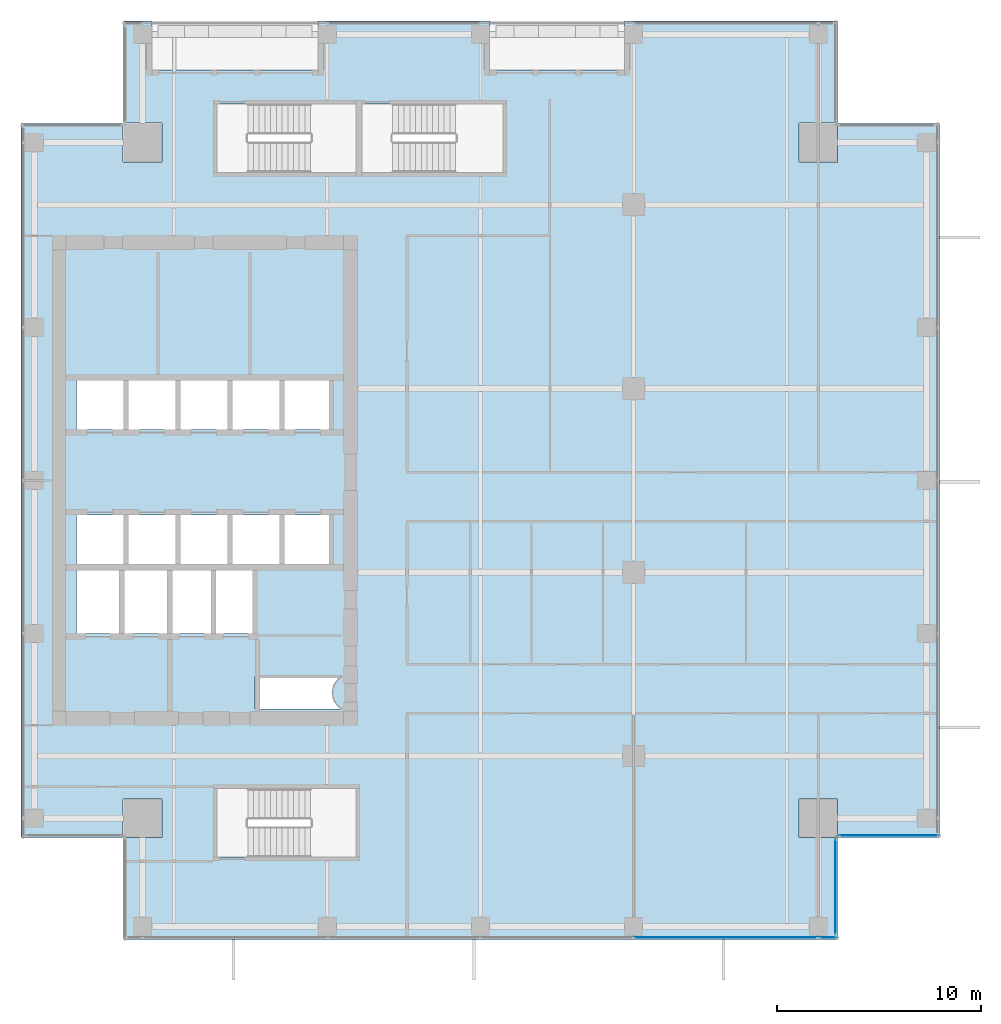
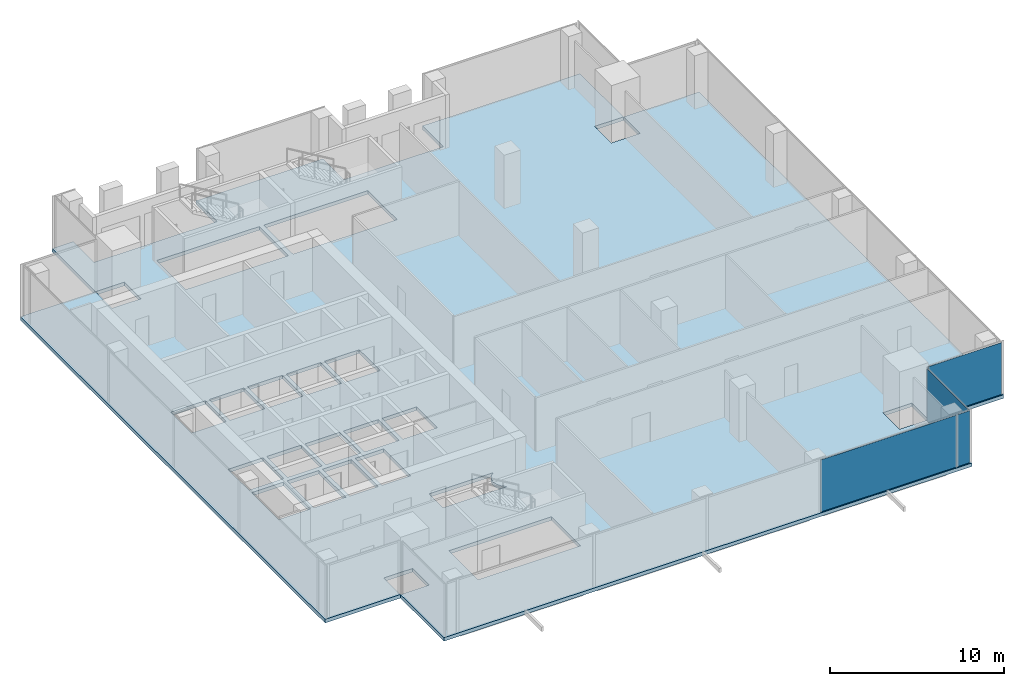
# One storey, part 26 of 34: 4 plates, 1 slab, 3 elements without a shape of their own.
"""IFC4 building model written with IfcOpenShell, lengths in metres."""

import ifcopenshell
import ifcopenshell.guid

model = None  # the IFC model being written
_history = None  # IfcOwnerHistory: only IFC2X3 demands one
_inside = {}  # id of a spatial element -> (the spatial element, [elements in it])
_under = {}  # id of a project, library or spatial element -> (it, [spatial elements below it])
_declared = {}  # id of a project -> (the project, [libraries it declares])
_typed = {}  # id of a type object -> (the type object, [elements of that type])
_made_of = {}  # id of a material, layer set ... -> (it, [elements and type objects made of it])


def new_model(schema):
    """Start an empty IFC model of exactly this schema.

    Asked for "IFC4X3", IfcOpenShell would pick the latest addendum, in which some entities
    have other attributes; the version numbers below select the first issue.
    IFC2X3 requires an IfcOwnerHistory on every rooted entity: one is made here for all.
    """
    global model, _history
    if schema == "IFC4X3":
        model = ifcopenshell.file(schema_version=(4, 3, 0, 0))
    else:
        model = ifcopenshell.file(schema=schema)
    _inside.clear()
    _under.clear()
    _declared.clear()
    _typed.clear()
    _made_of.clear()
    _history = None
    if model.schema == "IFC2X3":
        org = make("IfcOrganization", Name="unknown")
        user = make(
            "IfcPersonAndOrganization",
            ThePerson=make("IfcPerson", FamilyName="unknown"),
            TheOrganization=org,
        )
        app = make(
            "IfcApplication",
            ApplicationDeveloper=org,
            Version="unknown",
            ApplicationFullName="unknown",
            ApplicationIdentifier="unknown",
        )
        _history = make(
            "IfcOwnerHistory",
            OwningUser=user,
            OwningApplication=app,
            ChangeAction="ADDED",
            CreationDate=0,
        )
    return model


def make(cls, **values):
    """One entity of the class cls with the attributes given. An attribute that is None is left unset."""
    return model.create_entity(
        cls, **{name: value for name, value in values.items() if value is not None}
    )


def rooted(cls, **values):
    """An entity with a GlobalId (a new one), such as an element, a storey or a relation."""
    return make(cls, GlobalId=ifcopenshell.guid.new(), OwnerHistory=_history, **values)


def si_unit(unit_type, name, prefix=None):
    """IfcSIUnit, for example si_unit("LENGTHUNIT", "METRE", prefix="MILLI")."""
    return make("IfcSIUnit", UnitType=unit_type, Prefix=prefix, Name=name)


def assignment(units):
    """IfcUnitAssignment: the units of a project."""
    return None if units is None else make("IfcUnitAssignment", Units=units)


def point(xyz):
    """IfcCartesianPoint."""
    return None if xyz is None else make("IfcCartesianPoint", Coordinates=xyz)


def direction(xyz):
    """IfcDirection."""
    return None if xyz is None else make("IfcDirection", DirectionRatios=xyz)


def frame(location, z_axis=None, x_axis=None):
    """IfcAxis2Placement3D, a coordinate frame: its origin and axes. An axis left out is left unset."""
    return make(
        "IfcAxis2Placement3D",
        Location=point(location),
        Axis=direction(z_axis),
        RefDirection=direction(x_axis),
    )


def frame_2d(location, x_axis=None):
    """IfcAxis2Placement2D, a coordinate frame in the plane: its origin and x axis."""
    return make(
        "IfcAxis2Placement2D", Location=point(location), RefDirection=direction(x_axis)
    )


def origin():
    """The frame at (0, 0, 0) with its axes left unset."""
    return frame((0.0, 0.0, 0.0))


def origin_2d():
    """The frame at (0, 0) in the plane with its x axis left unset."""
    return frame_2d((0.0, 0.0))


def place(relative_to, where):
    """IfcLocalPlacement: puts the frame where relative to a parent placement (None: the world)."""
    return make(
        "IfcLocalPlacement", PlacementRelTo=relative_to, RelativePlacement=where
    )


def context(
    kind, dimensions, precision=None, world=None, true_north=None, identifier=None
):
    """IfcGeometricRepresentationContext, for example the 3D "Model" context."""
    return make(
        "IfcGeometricRepresentationContext",
        ContextIdentifier=identifier,
        ContextType=kind,
        CoordinateSpaceDimension=dimensions,
        Precision=precision,
        WorldCoordinateSystem=world,
        TrueNorth=true_north,
    )


def subcontext(parent, identifier, kind, view, scale=None):
    """IfcGeometricRepresentationSubContext, for example "Body" below "Model"."""
    return make(
        "IfcGeometricRepresentationSubContext",
        ContextIdentifier=identifier,
        ContextType=kind,
        ParentContext=parent,
        TargetScale=scale,
        TargetView=view,
    )


def project(units=None, contexts=None):
    """IfcProject with its units and contexts."""
    return rooted(
        "IfcProject",
        Name="project",
        RepresentationContexts=contexts,
        UnitsInContext=assignment(units),
    )


def spatial(cls, under=None, at=None, **own):
    """A site, building, storey or space (cls), placed at a placement, below another one or the project."""
    s = rooted(cls, ObjectPlacement=at, **own)
    if under is not None:
        _under.setdefault(under.id(), (under, []))[1].append(s)
    return s


def polyline(points):
    """IfcPolyline through the points."""
    return make("IfcPolyline", Points=[point(p) for p in points])


def profile(cls, at=None, kind="AREA", **sizes):
    """A parametric profile (cls). Its sizes go by their IFC names, for example OverallWidth=200.0."""
    return make(cls, ProfileType=kind, Position=at, **sizes)


def rectangle(**sizes):
    """IfcRectangleProfileDef."""
    return profile("IfcRectangleProfileDef", **sizes)


def outline(outer, holes=None, kind="AREA"):
    """IfcArbitraryClosedProfileDef: a profile drawn as a closed curve; with holes, ...WithVoids."""
    if holes is None:
        return make("IfcArbitraryClosedProfileDef", ProfileType=kind, OuterCurve=outer)
    return make(
        "IfcArbitraryProfileDefWithVoids",
        ProfileType=kind,
        OuterCurve=outer,
        InnerCurves=holes,
    )


def extrude(swept, where, along, depth):
    """IfcExtrudedAreaSolid: the profile swept, set in the frame where, extruded along a direction by depth."""
    return make(
        "IfcExtrudedAreaSolid",
        SweptArea=swept,
        Position=where,
        ExtrudedDirection=direction(along),
        Depth=depth,
    )


def shape(context_of_items, identifier, shape_type, items):
    """IfcShapeRepresentation: the items that make up one representation, for example the "Body"."""
    return make(
        "IfcShapeRepresentation",
        ContextOfItems=context_of_items,
        RepresentationIdentifier=identifier,
        RepresentationType=shape_type,
        Items=items,
    )


def source(mapping_origin, context_of_items, identifier, shape_type, items):
    """IfcRepresentationMap: a shape defined once, which mapped items show again and again."""
    return make(
        "IfcRepresentationMap",
        MappingOrigin=mapping_origin,
        MappedRepresentation=shape(context_of_items, identifier, shape_type, items),
    )


def transform(
    local_origin,
    x_axis=None,
    y_axis=None,
    z_axis=None,
    scale=None,
    scale2=None,
    scale3=None,
    uniform=True,
):
    """IfcCartesianTransformationOperator3D, or its non-uniform kind. x_axis, y_axis, z_axis: its Axis1, 2, 3."""
    if uniform:
        return make(
            "IfcCartesianTransformationOperator3D",
            Axis1=direction(x_axis),
            Axis2=direction(y_axis),
            LocalOrigin=point(local_origin),
            Scale=scale,
            Axis3=direction(z_axis),
        )
    return make(
        "IfcCartesianTransformationOperator3DnonUniform",
        Axis1=direction(x_axis),
        Axis2=direction(y_axis),
        LocalOrigin=point(local_origin),
        Scale=scale,
        Axis3=direction(z_axis),
        Scale2=scale2,
        Scale3=scale3,
    )


def mapped(mapping_source, mapping_target):
    """IfcMappedItem: shows the shape of a source again, moved by a transform."""
    return make(
        "IfcMappedItem", MappingSource=mapping_source, MappingTarget=mapping_target
    )


def material(Name=None, Category=None):
    """IfcMaterial."""
    return make("IfcMaterial", Name=Name, Category=Category)


def layer(
    of_material, thickness, ventilated=None, Name=None, Category=None, Priority=None
):
    """IfcMaterialLayer: one layer of a wall or slab, of a material (None: an air gap)."""
    return make(
        "IfcMaterialLayer",
        Material=of_material,
        LayerThickness=thickness,
        IsVentilated=ventilated,
        Name=Name,
        Category=Category,
        Priority=Priority,
    )


def layer_set(layers, Name=None):
    """IfcMaterialLayerSet."""
    return make("IfcMaterialLayerSet", MaterialLayers=layers, LayerSetName=Name)


def made_of(thing, what):
    """Note that an element or type object is made of a material, layer set ...; save() writes the relation."""
    if what is not None:
        _made_of.setdefault(what.id(), (what, []))[1].append(thing)
    return thing


def type_object(cls, material=None, **own):
    """A type object (cls), such as IfcWallType, which elements share."""
    return made_of(rooted(cls, **own), material)


def element(
    cls,
    number,
    at=None,
    inside=None,
    cuts=None,
    type_object=None,
    material=None,
    context=None,
    identifier="Body",
    shape_type=None,
    held_by="IfcProductDefinitionShape",
    body=None,
    shapes=None,
    **own,
):
    """One element of the class cls, such as IfcWall. Its Tag is "e" and its number.

    at: its placement. inside: the storey or other place that contains it. cuts: it is an
    opening in that element (IfcRelVoidsElement). A single representation is given by context,
    identifier, shape_type and body (its items); several are given by shapes. held_by: the class
    of the entity that holds the representations. save() writes the other relations.
    """
    e = rooted(cls, Tag="e%d" % number, ObjectPlacement=at, **own)
    if body is not None:
        shapes = [shape(context, identifier, shape_type, body)]
    if shapes is not None:
        e.Representation = make(held_by, Representations=shapes)
    if inside is not None:
        _inside.setdefault(inside.id(), (inside, []))[1].append(e)
    if cuts is not None:
        rooted(
            "IfcRelVoidsElement", RelatingBuildingElement=cuts, RelatedOpeningElement=e
        )
    if type_object is not None:
        _typed.setdefault(type_object.id(), (type_object, []))[1].append(e)
    return made_of(e, material)


def aggregate(whole, parts):
    """IfcRelAggregates: a whole, such as a stair, and the parts it consists of."""
    return rooted("IfcRelAggregates", RelatingObject=whole, RelatedObjects=parts)


def save(model, path):
    """Write the relations noted so far, then the file.

    IfcRelAggregates (storeys below a building ...), IfcRelContainedInSpatialStructure (elements
    in a storey), IfcRelDefinesByType, IfcRelAssociatesMaterial and IfcRelDeclares: one each for
    every whole, place, type object, material and project.
    """
    for whole, parts in _under.values():
        aggregate(whole, parts)
    for where, things in _inside.values():
        rooted(
            "IfcRelContainedInSpatialStructure",
            RelatedElements=things,
            RelatingStructure=where,
        )
    for kind, things in _typed.values():
        rooted("IfcRelDefinesByType", RelatedObjects=things, RelatingType=kind)
    for what, things in _made_of.values():
        rooted("IfcRelAssociatesMaterial", RelatedObjects=things, RelatingMaterial=what)
    for by, libraries in _declared.values():
        rooted("IfcRelDeclares", RelatingContext=by, RelatedDefinitions=libraries)
    model.write(path)


model = new_model("IFC4")

# Units and contexts
model_context = context("Model", 3, precision=1e-05, world=origin(), true_north=direction((0.0, 1.0)))
body_context = subcontext(model_context, "Body", "Model", "MODEL_VIEW")
ifc_project = project(units=[si_unit("LENGTHUNIT", "METRE"), si_unit("AREAUNIT", "SQUARE_METRE"), si_unit("VOLUMEUNIT", "CUBIC_METRE"), si_unit("PLANEANGLEUNIT", "RADIAN"), si_unit("MASSUNIT", "GRAM", prefix="KILO")], contexts=[model_context])

# Site, building, storey
site_placement = place(None, origin())
site = spatial("IfcSite", under=ifc_project, at=site_placement, CompositionType="ELEMENT")
building_placement = place(site_placement, origin())
building = spatial("IfcBuilding", under=site, at=building_placement, Name="Khomas Fold Tower", CompositionType="ELEMENT")
storey_placement = place(building_placement, frame((0.0, 0.0, 242.199951171875)))
storey = spatial("IfcBuildingStorey", under=building, at=storey_placement, Name="L54", CompositionType="ELEMENT", Elevation=242.199951171875)

# Slab
ifc_material_1 = material(Name="Concrete C40/50", Category="concrete")
ifc_layer_1 = layer(ifc_material_1, 0.25)
ifc_layer_set_1 = layer_set([ifc_layer_1], Name="Concrete C40/50")
slab_type = type_object("IfcSlabType", Name="RC floor slab 250", PredefinedType="FLOOR", material=ifc_layer_set_1)
shared_shape_1 = source(origin(), body_context, "Body", "SweptSolid", [
    extrude(outline(polyline([(4.5, 9.5), (9.4951171875, 9.5), (9.4951171875, 11.405029296875), (11.405029296875, 11.405029296875), (11.405029296875, 9.4951171875), (9.5, 9.4951171875), (9.5, 4.5), (44.5, 4.5), (44.5, 9.4951171875), (42.594970703125, 9.4951171875), (42.594970703125, 11.405029296875), (44.5048828125, 11.405029296875), (44.5048828125, 9.5), (49.5, 9.5), (49.5, 44.5), (44.5048828125, 44.5), (44.5048828125, 42.594970703125), (42.594970703125, 42.594970703125), (42.594970703125, 44.5048828125), (44.5, 44.5048828125), (44.5, 49.5), (34.050048828125, 49.5), (34.050048828125, 47.10009765625), (27.449951171875, 47.10009765625), (27.449951171875, 49.5), (19.050048828125, 49.5), (19.050048828125, 47.10009765625), (10.89990234375, 47.10009765625), (10.89990234375, 49.5), (9.5, 49.5), (9.5, 44.5048828125), (11.405029296875, 44.5048828125), (11.405029296875, 42.594970703125), (9.4951171875, 42.594970703125), (9.4951171875, 44.5), (4.5, 44.5), (4.5, 9.5)]), holes=[polyline([(7.199951171875, 19.5), (7.199951171875, 22.60009765625), (9.300048828125, 22.60009765625), (9.300048828125, 19.5), (7.199951171875, 19.5)]), polyline([(7.199951171875, 22.89990234375), (7.199951171875, 25.300048828125), (9.5, 25.300048828125), (9.5, 22.89990234375), (7.199951171875, 22.89990234375)]), polyline([(7.199951171875, 29.5), (7.199951171875, 31.89990234375), (9.5, 31.89990234375), (9.5, 29.5), (7.199951171875, 29.5)]), polyline([(9.550048828125, 19.5), (9.550048828125, 22.60009765625), (11.64990234375, 22.60009765625), (11.64990234375, 19.5), (9.550048828125, 19.5)]), polyline([(9.75, 22.89990234375), (9.75, 25.300048828125), (12.050048828125, 25.300048828125), (12.050048828125, 22.89990234375), (9.75, 22.89990234375)]), polyline([(9.75, 29.5), (9.75, 31.89990234375), (12.050048828125, 31.89990234375), (12.050048828125, 29.5), (9.75, 29.5)]), polyline([(11.89990234375, 19.5), (11.89990234375, 22.60009765625), (13.800048828125, 22.60009765625), (13.800048828125, 19.5), (11.89990234375, 19.5)]), polyline([(12.300048828125, 22.89990234375), (12.300048828125, 25.300048828125), (14.60009765625, 25.300048828125), (14.60009765625, 22.89990234375), (12.300048828125, 22.89990234375)]), polyline([(12.300048828125, 29.5), (12.300048828125, 31.89990234375), (14.60009765625, 31.89990234375), (14.60009765625, 29.5), (12.300048828125, 29.5)]), polyline([(14.050048828125, 19.5), (14.050048828125, 22.60009765625), (15.949951171875, 22.60009765625), (15.949951171875, 19.5), (14.050048828125, 19.5)]), polyline([(14.10009765625, 8.550048828125), (14.10009765625, 11.89990234375), (20.89990234375, 11.89990234375), (20.89990234375, 8.550048828125), (14.10009765625, 8.550048828125)]), polyline([(14.10009765625, 42.10009765625), (14.10009765625, 45.449951171875), (20.89990234375, 45.449951171875), (20.89990234375, 42.10009765625), (14.10009765625, 42.10009765625)]), polyline([(14.85009765625, 22.89990234375), (14.85009765625, 25.300048828125), (17.14990234375, 25.300048828125), (17.14990234375, 22.89990234375), (14.85009765625, 22.89990234375)]), polyline([(14.85009765625, 29.5), (14.85009765625, 31.89990234375), (17.14990234375, 31.89990234375), (17.14990234375, 29.5), (14.85009765625, 29.5)]), polyline([(15.949951171875, 15.800048828125), (15.949951171875, 17.39990234375), (20.199951171875, 17.39990234375), (20.199951171875, 17.37841796875), (20.14990234375, 17.348388671875), (20.0791015625, 17.295654296875), (20.013671875, 17.236328125), (19.954345703125, 17.1708984375), (19.901611328125, 17.10009765625), (19.856201171875, 17.0244140625), (19.818603515625, 16.9443359375), (19.788818359375, 16.861328125), (19.767333984375, 16.775634765625), (19.75439453125, 16.688232421875), (19.75, 16.60009765625), (19.75439453125, 16.51171875), (19.767333984375, 16.42431640625), (19.788818359375, 16.338623046875), (19.818603515625, 16.255615234375), (19.856201171875, 16.17578125), (19.901611328125, 16.10009765625), (19.954345703125, 16.029052734375), (20.013671875, 15.963623046875), (20.0791015625, 15.904296875), (20.14990234375, 15.851806640625), (20.199951171875, 15.82177734375), (20.199951171875, 15.800048828125), (15.949951171875, 15.800048828125)]), polyline([(17.39990234375, 22.89990234375), (17.39990234375, 25.300048828125), (19.699951171875, 25.300048828125), (19.699951171875, 22.89990234375), (17.39990234375, 22.89990234375)]), polyline([(17.39990234375, 29.5), (17.39990234375, 31.89990234375), (19.699951171875, 31.89990234375), (19.699951171875, 29.5), (17.39990234375, 29.5)]), polyline([(21.199951171875, 42.10009765625), (21.199951171875, 45.449951171875), (28.10009765625, 45.449951171875), (28.10009765625, 42.10009765625), (21.199951171875, 42.10009765625)])]), origin(), (0.0, 0.0, 1.0), 0.25),
])
slab_placement = place(storey_placement, frame((0.0, 0.0, -0.25)))
element("IfcSlab", 1, at=slab_placement, inside=storey, type_object=slab_type, Name="S-L54", PredefinedType="FLOOR", context=body_context, shape_type="MappedRepresentation", body=[
    mapped(shared_shape_1, transform((0.0, 0.0, 0.0))),
])

# Curtain wall, plates
ifc_material_2 = material(Name="Aluminium framed double glazing", Category="aluminium")
curtain_wall_type = type_object("IfcCurtainWallType", Name="SK-Unitised clear-glass wall, office floors CW2", PredefinedType="NOTDEFINED", material=ifc_material_2)
curtain_wall_1_placement = place(storey_placement, origin())
curtain_wall_1 = element("IfcCurtainWall", 2, at=curtain_wall_1_placement, inside=storey, type_object=curtain_wall_type, Name="CW2 run L54 00-0", PredefinedType="NOTDEFINED")
ifc_material_3 = material(Name="Clear double glazed unit")
ifc_layer_2 = layer(ifc_material_3, 0.030029296875)
ifc_layer_set_2 = layer_set([ifc_layer_2], Name="Clear double glazed unit")
plate_type = type_object("IfcPlateType", Name="SK-Unitised clear-glass wall, office floors glass panel CW2-P", PredefinedType="CURTAIN_PANEL", material=ifc_layer_set_2)
shared_shape_2 = source(origin(), body_context, "Body", "SweptSolid", [
    extrude(rectangle(XDim=0.860107421875, YDim=0.030029296875, at=origin_2d()), origin(), (0.0, 0.0, 1.0), 3.639892578125),
])
plate_1_placement = place(storey_placement, frame((44.010009765625, 4.60009765625, 0.0), z_axis=(0.0, 0.0, 1.0), x_axis=(1.0, 0.0, 0.0)))
plate_1 = element("IfcPlate", 3, at=plate_1_placement, type_object=plate_type, Name="CW2 glass panel 6", PredefinedType="CURTAIN_PANEL", context=body_context, shape_type="MappedRepresentation", body=[
    mapped(shared_shape_2, transform((0.0, 0.0, 0.0))),
])
shared_shape_3 = source(origin(), body_context, "Body", "SweptSolid", [
    extrude(rectangle(XDim=8.989990234375, YDim=0.030029296875, at=origin_2d()), origin(), (0.0, 0.0, 1.0), 3.639892578125),
])
plate_2_placement = place(storey_placement, frame((39.02490234375, 4.60009765625, 0.0), z_axis=(0.0, 0.0, 1.0), x_axis=(1.0, 0.0, 0.0)))
plate_2 = element("IfcPlate", 4, at=plate_2_placement, type_object=plate_type, Name="CW2 glass panel 5", PredefinedType="CURTAIN_PANEL", context=body_context, shape_type="MappedRepresentation", body=[
    mapped(shared_shape_3, transform((0.0, 0.0, 0.0))),
])
aggregate(curtain_wall_1, [plate_2, plate_1])

# Curtain wall, plate
curtain_wall_2_placement = place(storey_placement, origin())
curtain_wall_2 = element("IfcCurtainWall", 5, at=curtain_wall_2_placement, inside=storey, type_object=curtain_wall_type, Name="CW2 corner return L54 01", PredefinedType="NOTDEFINED")
shared_shape_4 = source(origin(), body_context, "Body", "SweptSolid", [
    extrude(rectangle(XDim=4.679931640625, YDim=0.030029296875, at=origin_2d()), origin(), (0.0, 0.0, 1.0), 3.639892578125),
])
plate_3_placement = place(storey_placement, frame((44.39990234375, 7.10009765625, 0.0), z_axis=(0.0, 0.0, 1.0), x_axis=(0.0, 1.0, 0.0)))
plate_3 = element("IfcPlate", 6, at=plate_3_placement, type_object=plate_type, Name="CW2 glass panel 1", PredefinedType="CURTAIN_PANEL", context=body_context, shape_type="MappedRepresentation", body=[
    mapped(shared_shape_4, transform((0.0, 0.0, 0.0))),
])
aggregate(curtain_wall_2, [plate_3])

curtain_wall_3_placement = place(storey_placement, origin())
curtain_wall_3 = element("IfcCurtainWall", 7, at=curtain_wall_3_placement, inside=storey, type_object=curtain_wall_type, Name="CW2 corner return L54 02", PredefinedType="NOTDEFINED")
shared_shape_5 = source(origin(), body_context, "Body", "SweptSolid", [
    extrude(rectangle(XDim=4.8798828125, YDim=0.030029296875, at=origin_2d()), origin(), (0.0, 0.0, 1.0), 3.639892578125),
])
plate_4_placement = place(storey_placement, frame((47.0, 9.60009765625, 0.0), z_axis=(0.0, 0.0, 1.0), x_axis=(1.0, 0.0, 0.0)))
plate_4 = element("IfcPlate", 8, at=plate_4_placement, type_object=plate_type, Name="CW2 glass panel 1", PredefinedType="CURTAIN_PANEL", context=body_context, shape_type="MappedRepresentation", body=[
    mapped(shared_shape_5, transform((0.0, 0.0, 0.0))),
])
aggregate(curtain_wall_3, [plate_4])

save(model, "model.ifc")
